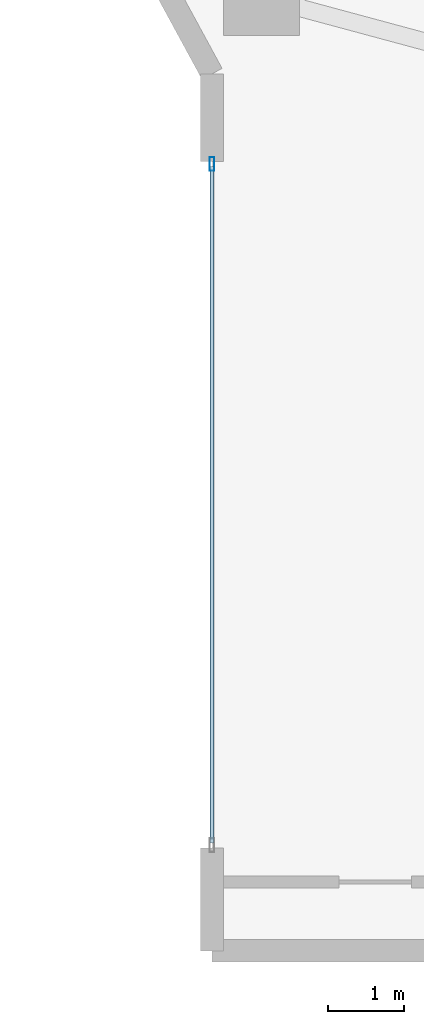
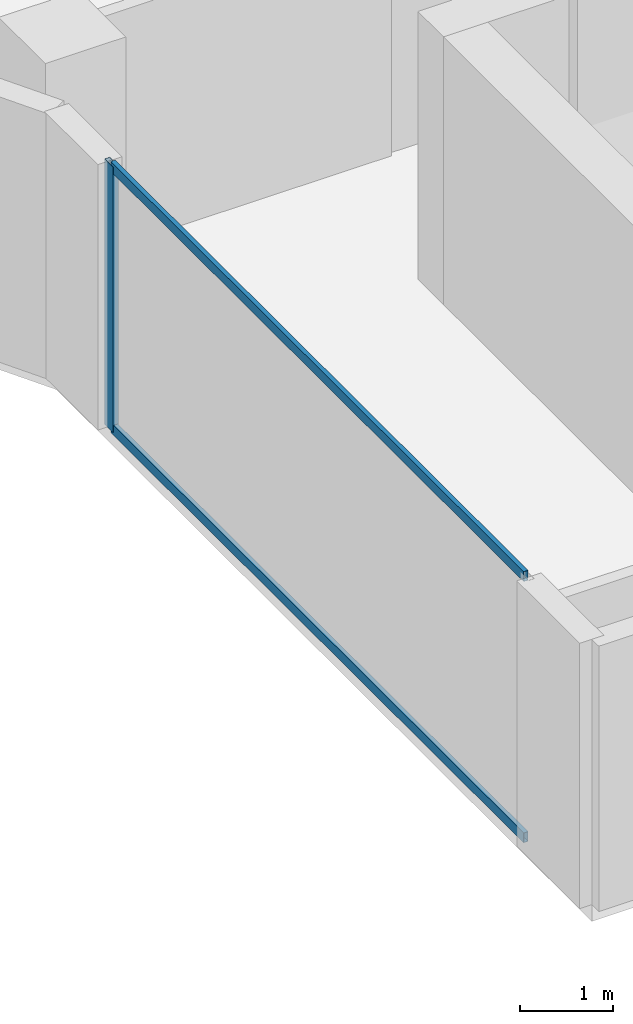
# One storey, part 3 of 25: 3 members, 1 element without a shape of its own.
"""IFC4 building model written with IfcOpenShell, lengths in metres."""

from ifc_helpers import new_model, si_unit, direction, frame, origin, origin_2d, place, context, subcontext, project, spatial, hollow_rectangle, extrude, material, layer, layer_set, material_profile, profile_set, type_object, element, aggregate, save


model = new_model("IFC4")

# Units and contexts
model_context = context("Model", 3, precision=1e-05, world=origin(), true_north=direction((0.0, 1.0)))
body_context = subcontext(model_context, "Body", "Model", "MODEL_VIEW")
ifc_project = project(units=[si_unit("LENGTHUNIT", "METRE"), si_unit("AREAUNIT", "SQUARE_METRE"), si_unit("VOLUMEUNIT", "CUBIC_METRE"), si_unit("PLANEANGLEUNIT", "RADIAN"), si_unit("MASSUNIT", "GRAM", prefix="KILO")], contexts=[model_context])

# Site, building, storey
site_placement = place(None, origin())
site = spatial("IfcSite", under=ifc_project, at=site_placement, CompositionType="ELEMENT")
building_placement = place(site_placement, origin())
building = spatial("IfcBuilding", under=site, at=building_placement, Name="Zuhayl Quay Hotel", CompositionType="ELEMENT")
storey_placement = place(building_placement, frame((0.0, 0.0, 243.35009765625)))
storey = spatial("IfcBuildingStorey", under=building, at=storey_placement, Name="L61", CompositionType="ELEMENT", Elevation=243.35009765625)

# Curtain wall, members
ifc_material_1 = material(Name="Anodised Aluminium 6063-T6", Category="aluminium")
ifc_layer = layer(ifc_material_1, 0.169921875, Name="Anodised Aluminium 6063-T6", Category="aluminium")
ifc_layer_set = layer_set([ifc_layer], Name="Anodised Aluminium 6063-T6")
curtain_wall_type = type_object("IfcCurtainWallType", Name="CW_SYS_Z4", PredefinedType="USERDEFINED", material=ifc_layer_set)
curtain_wall_placement = place(storey_placement, origin())
curtain_wall = element("IfcCurtainWall", 1, at=curtain_wall_placement, inside=storey, type_object=curtain_wall_type, Name="L61 Curtain Wall ENV_L61_E02_CW1", ObjectType="UNITISED CURTAIN WALL", PredefinedType="USERDEFINED")
ifc_material_2 = material(Name="Black-anodised aluminium 6063-T6", Category="aluminium")
ifc_material_profile_1 = material_profile(ifc_material_2, hollow_rectangle(XDim=0.06494140625, YDim=0.179931640625, WallThickness=0.00341796875, at=origin_2d()), Name="ALU180X65")
ifc_profile_set_1 = profile_set([ifc_material_profile_1], Name="Black-anodised aluminium 6063-T6")
member_type_1 = type_object("IfcMemberType", Name="MB_CW_MUL_180", PredefinedType="MULLION", material=ifc_profile_set_1)
member_1_placement = place(storey_placement, frame((-20.199951171875, 13.717529296875, 0.0), z_axis=(0.0, 0.0, 1.0), x_axis=(-1.0, 0.0, 0.0)))
member_1 = element("IfcMember", 2, at=member_1_placement, type_object=member_type_1, Name="CW-Z4 mullion 2", PredefinedType="MULLION", context=body_context, shape_type="SweptSolid", body=[
    extrude(hollow_rectangle(XDim=0.06494140625, YDim=0.179931640625, WallThickness=0.00341796875, at=origin_2d()), origin(), (0.0, 0.0, 1.0), 3.47998046875),
])
ifc_material_profile_2 = material_profile(ifc_material_2, hollow_rectangle(XDim=0.054931640625, YDim=0.1298828125, WallThickness=0.0029296875, at=origin_2d()), Name="ALU130X55")
ifc_profile_set_2 = profile_set([ifc_material_profile_2], Name="Black-anodised aluminium 6063-T6")
member_type_2 = type_object("IfcMemberType", Name="MB_CW_TRN_130", PredefinedType="USERDEFINED", material=ifc_profile_set_2)
member_2_placement = place(storey_placement, frame((-20.199951171875, 4.81494140625, 0.02734375), z_axis=(0.0, 1.0, 0.0), x_axis=(-1.0, 0.0, 0.0)))
member_2 = element("IfcMember", 3, at=member_2_placement, type_object=member_type_2, Name="CW-Z4 transom 1.1", ObjectType="TRANSOM", PredefinedType="USERDEFINED", context=body_context, shape_type="SweptSolid", body=[
    extrude(hollow_rectangle(XDim=0.054931640625, YDim=0.1298828125, WallThickness=0.0029296875, at=origin_2d()), origin(), (0.0, 0.0, 1.0), 8.8701171875),
])
member_3_placement = place(storey_placement, frame((-20.199951171875, 4.81494140625, 3.452392578125), z_axis=(0.0, 1.0, 0.0), x_axis=(-1.0, 0.0, 0.0)))
member_3 = element("IfcMember", 4, at=member_3_placement, type_object=member_type_2, Name="CW-Z4 transom 1.2", ObjectType="TRANSOM", PredefinedType="USERDEFINED", context=body_context, shape_type="SweptSolid", body=[
    extrude(hollow_rectangle(XDim=0.054931640625, YDim=0.1298828125, WallThickness=0.0029296875, at=origin_2d()), origin(), (0.0, 0.0, 1.0), 8.8701171875),
])
aggregate(curtain_wall, [member_1, member_2, member_3])

save(model, "model.ifc")
